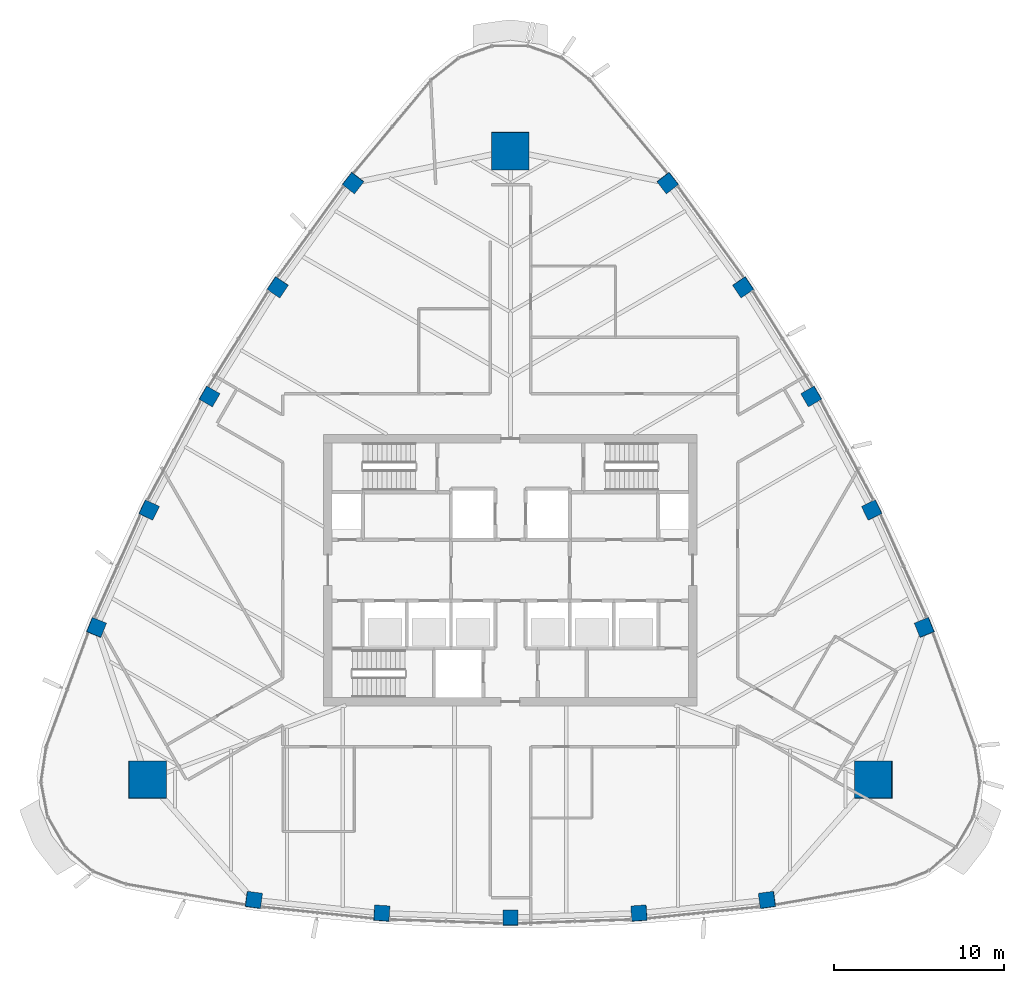
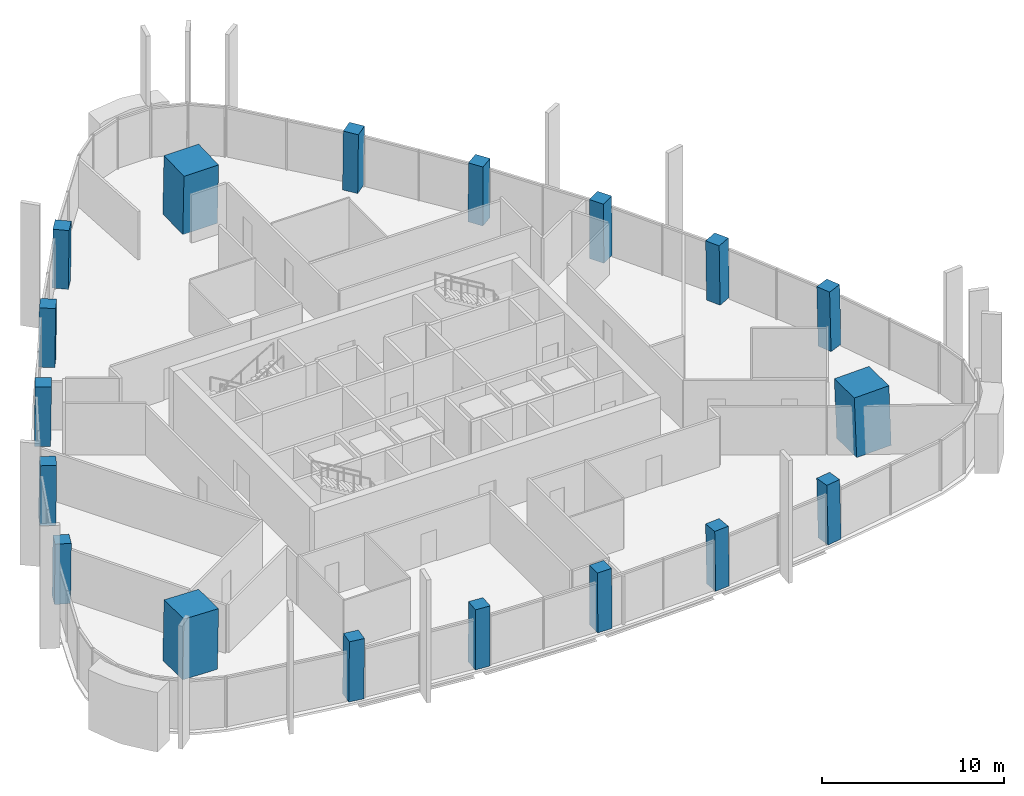
# One storey, part 1 of 18: 18 columns.
"""IFC4 building model written with IfcOpenShell, lengths in metres."""

import ifcopenshell
import ifcopenshell.guid

model = None  # the IFC model being written
_history = None  # IfcOwnerHistory: only IFC2X3 demands one
_inside = {}  # id of a spatial element -> (the spatial element, [elements in it])
_under = {}  # id of a project, library or spatial element -> (it, [spatial elements below it])
_declared = {}  # id of a project -> (the project, [libraries it declares])
_typed = {}  # id of a type object -> (the type object, [elements of that type])
_made_of = {}  # id of a material, layer set ... -> (it, [elements and type objects made of it])


def new_model(schema):
    """Start an empty IFC model of exactly this schema.

    Asked for "IFC4X3", IfcOpenShell would pick the latest addendum, in which some entities
    have other attributes; the version numbers below select the first issue.
    IFC2X3 requires an IfcOwnerHistory on every rooted entity: one is made here for all.
    """
    global model, _history
    if schema == "IFC4X3":
        model = ifcopenshell.file(schema_version=(4, 3, 0, 0))
    else:
        model = ifcopenshell.file(schema=schema)
    _inside.clear()
    _under.clear()
    _declared.clear()
    _typed.clear()
    _made_of.clear()
    _history = None
    if model.schema == "IFC2X3":
        org = make("IfcOrganization", Name="unknown")
        user = make(
            "IfcPersonAndOrganization",
            ThePerson=make("IfcPerson", FamilyName="unknown"),
            TheOrganization=org,
        )
        app = make(
            "IfcApplication",
            ApplicationDeveloper=org,
            Version="unknown",
            ApplicationFullName="unknown",
            ApplicationIdentifier="unknown",
        )
        _history = make(
            "IfcOwnerHistory",
            OwningUser=user,
            OwningApplication=app,
            ChangeAction="ADDED",
            CreationDate=0,
        )
    return model


def make(cls, **values):
    """One entity of the class cls with the attributes given. An attribute that is None is left unset."""
    return model.create_entity(
        cls, **{name: value for name, value in values.items() if value is not None}
    )


def rooted(cls, **values):
    """An entity with a GlobalId (a new one), such as an element, a storey or a relation."""
    return make(cls, GlobalId=ifcopenshell.guid.new(), OwnerHistory=_history, **values)


def si_unit(unit_type, name, prefix=None):
    """IfcSIUnit, for example si_unit("LENGTHUNIT", "METRE", prefix="MILLI")."""
    return make("IfcSIUnit", UnitType=unit_type, Prefix=prefix, Name=name)


def assignment(units):
    """IfcUnitAssignment: the units of a project."""
    return None if units is None else make("IfcUnitAssignment", Units=units)


def point(xyz):
    """IfcCartesianPoint."""
    return None if xyz is None else make("IfcCartesianPoint", Coordinates=xyz)


def direction(xyz):
    """IfcDirection."""
    return None if xyz is None else make("IfcDirection", DirectionRatios=xyz)


def frame(location, z_axis=None, x_axis=None):
    """IfcAxis2Placement3D, a coordinate frame: its origin and axes. An axis left out is left unset."""
    return make(
        "IfcAxis2Placement3D",
        Location=point(location),
        Axis=direction(z_axis),
        RefDirection=direction(x_axis),
    )


def frame_2d(location, x_axis=None):
    """IfcAxis2Placement2D, a coordinate frame in the plane: its origin and x axis."""
    return make(
        "IfcAxis2Placement2D", Location=point(location), RefDirection=direction(x_axis)
    )


def origin():
    """The frame at (0, 0, 0) with its axes left unset."""
    return frame((0.0, 0.0, 0.0))


def origin_2d():
    """The frame at (0, 0) in the plane with its x axis left unset."""
    return frame_2d((0.0, 0.0))


def place(relative_to, where):
    """IfcLocalPlacement: puts the frame where relative to a parent placement (None: the world)."""
    return make(
        "IfcLocalPlacement", PlacementRelTo=relative_to, RelativePlacement=where
    )


def context(
    kind, dimensions, precision=None, world=None, true_north=None, identifier=None
):
    """IfcGeometricRepresentationContext, for example the 3D "Model" context."""
    return make(
        "IfcGeometricRepresentationContext",
        ContextIdentifier=identifier,
        ContextType=kind,
        CoordinateSpaceDimension=dimensions,
        Precision=precision,
        WorldCoordinateSystem=world,
        TrueNorth=true_north,
    )


def subcontext(parent, identifier, kind, view, scale=None):
    """IfcGeometricRepresentationSubContext, for example "Body" below "Model"."""
    return make(
        "IfcGeometricRepresentationSubContext",
        ContextIdentifier=identifier,
        ContextType=kind,
        ParentContext=parent,
        TargetScale=scale,
        TargetView=view,
    )


def project(units=None, contexts=None):
    """IfcProject with its units and contexts."""
    return rooted(
        "IfcProject",
        Name="project",
        RepresentationContexts=contexts,
        UnitsInContext=assignment(units),
    )


def spatial(cls, under=None, at=None, **own):
    """A site, building, storey or space (cls), placed at a placement, below another one or the project."""
    s = rooted(cls, ObjectPlacement=at, **own)
    if under is not None:
        _under.setdefault(under.id(), (under, []))[1].append(s)
    return s


def profile(cls, at=None, kind="AREA", **sizes):
    """A parametric profile (cls). Its sizes go by their IFC names, for example OverallWidth=200.0."""
    return make(cls, ProfileType=kind, Position=at, **sizes)


def rectangle(**sizes):
    """IfcRectangleProfileDef."""
    return profile("IfcRectangleProfileDef", **sizes)


def extrude(swept, where, along, depth):
    """IfcExtrudedAreaSolid: the profile swept, set in the frame where, extruded along a direction by depth."""
    return make(
        "IfcExtrudedAreaSolid",
        SweptArea=swept,
        Position=where,
        ExtrudedDirection=direction(along),
        Depth=depth,
    )


def shape(context_of_items, identifier, shape_type, items):
    """IfcShapeRepresentation: the items that make up one representation, for example the "Body"."""
    return make(
        "IfcShapeRepresentation",
        ContextOfItems=context_of_items,
        RepresentationIdentifier=identifier,
        RepresentationType=shape_type,
        Items=items,
    )


def material(Name=None, Category=None):
    """IfcMaterial."""
    return make("IfcMaterial", Name=Name, Category=Category)


def material_profile(
    of_material, cross_section, Name=None, Category=None, Priority=None
):
    """IfcMaterialProfile: a cross section and its material."""
    return make(
        "IfcMaterialProfile",
        Name=Name,
        Material=of_material,
        Profile=cross_section,
        Priority=Priority,
        Category=Category,
    )


def profile_set(profiles, Name=None, composite=None):
    """IfcMaterialProfileSet."""
    return make(
        "IfcMaterialProfileSet",
        Name=Name,
        MaterialProfiles=profiles,
        CompositeProfile=composite,
    )


def made_of(thing, what):
    """Note that an element or type object is made of a material, layer set ...; save() writes the relation."""
    if what is not None:
        _made_of.setdefault(what.id(), (what, []))[1].append(thing)
    return thing


def type_object(cls, material=None, **own):
    """A type object (cls), such as IfcWallType, which elements share."""
    return made_of(rooted(cls, **own), material)


def element(
    cls,
    number,
    at=None,
    inside=None,
    cuts=None,
    type_object=None,
    material=None,
    context=None,
    identifier="Body",
    shape_type=None,
    held_by="IfcProductDefinitionShape",
    body=None,
    shapes=None,
    **own,
):
    """One element of the class cls, such as IfcWall. Its Tag is "e" and its number.

    at: its placement. inside: the storey or other place that contains it. cuts: it is an
    opening in that element (IfcRelVoidsElement). A single representation is given by context,
    identifier, shape_type and body (its items); several are given by shapes. held_by: the class
    of the entity that holds the representations. save() writes the other relations.
    """
    e = rooted(cls, Tag="e%d" % number, ObjectPlacement=at, **own)
    if body is not None:
        shapes = [shape(context, identifier, shape_type, body)]
    if shapes is not None:
        e.Representation = make(held_by, Representations=shapes)
    if inside is not None:
        _inside.setdefault(inside.id(), (inside, []))[1].append(e)
    if cuts is not None:
        rooted(
            "IfcRelVoidsElement", RelatingBuildingElement=cuts, RelatedOpeningElement=e
        )
    if type_object is not None:
        _typed.setdefault(type_object.id(), (type_object, []))[1].append(e)
    return made_of(e, material)


def aggregate(whole, parts):
    """IfcRelAggregates: a whole, such as a stair, and the parts it consists of."""
    return rooted("IfcRelAggregates", RelatingObject=whole, RelatedObjects=parts)


def save(model, path):
    """Write the relations noted so far, then the file.

    IfcRelAggregates (storeys below a building ...), IfcRelContainedInSpatialStructure (elements
    in a storey), IfcRelDefinesByType, IfcRelAssociatesMaterial and IfcRelDeclares: one each for
    every whole, place, type object, material and project.
    """
    for whole, parts in _under.values():
        aggregate(whole, parts)
    for where, things in _inside.values():
        rooted(
            "IfcRelContainedInSpatialStructure",
            RelatedElements=things,
            RelatingStructure=where,
        )
    for kind, things in _typed.values():
        rooted("IfcRelDefinesByType", RelatedObjects=things, RelatingType=kind)
    for what, things in _made_of.values():
        rooted("IfcRelAssociatesMaterial", RelatedObjects=things, RelatingMaterial=what)
    for by, libraries in _declared.values():
        rooted("IfcRelDeclares", RelatingContext=by, RelatedDefinitions=libraries)
    model.write(path)


model = new_model("IFC4")

# Units and contexts
model_context = context("Model", 3, precision=1e-05, world=origin(), true_north=direction((0.0, 1.0)))
body_context = subcontext(model_context, "Body", "Model", "MODEL_VIEW")
ifc_project = project(units=[si_unit("LENGTHUNIT", "METRE"), si_unit("AREAUNIT", "SQUARE_METRE"), si_unit("VOLUMEUNIT", "CUBIC_METRE"), si_unit("PLANEANGLEUNIT", "RADIAN"), si_unit("MASSUNIT", "GRAM", prefix="KILO")], contexts=[model_context])

# Site, building, storey
site_placement = place(None, origin())
site = spatial("IfcSite", under=ifc_project, at=site_placement, CompositionType="ELEMENT")
building_placement = place(site_placement, origin())
building = spatial("IfcBuilding", under=site, at=building_placement, Name="Sierra Prisma Convention Tower", CompositionType="ELEMENT")
storey_placement = place(building_placement, frame((0.0, 0.0, 263.0)))
storey = spatial("IfcBuildingStorey", under=building, at=storey_placement, Name="L59", CompositionType="ELEMENT", Elevation=263.0)

# Columns
ifc_material_1 = material(Name="Concrete C50/60", Category="concrete")
ifc_material_profile_1 = material_profile(ifc_material_1, rectangle(XDim=2.199951171875, YDim=2.199951171875, at=origin_2d()), Name="Mega column RC 2200 C50/60")
ifc_profile_set_1 = profile_set([ifc_material_profile_1], Name="Concrete C50/60")
column_type_1 = type_object("IfcColumnType", Name="Mega column RC 2200 C50/60", PredefinedType="COLUMN", material=ifc_profile_set_1)
for number, where, z_axis, x_axis, name in (
    (1, (21.400390625, -12.355712890625, 0.0), (-0.027756693063, 0.016104982348, 0.999484965136), (0.99961470877, 0.000447193351, 0.02775309042), "Mega column SE L59"),
    (2, (0.0, 24.711181640625, 0.0), (0.0, -0.032148900677, 0.999483090495), (1.0, 0.0, 0.0), "Mega column N L59"),
    (3, (-21.400390625, -12.355712890625, 0.0), (0.027756693063, 0.016104982348, 0.999484965136), (0.99961470877, -0.000447193351, -0.02775309042), "Mega column SW L59"),
):
    element("IfcColumn", number, at=place(storey_placement, frame(where, z_axis=z_axis, x_axis=x_axis)), inside=storey, type_object=column_type_1, Name=name, PredefinedType="COLUMN", context=body_context, shape_type="SweptSolid", body=[
        extrude(rectangle(XDim=2.199951171875, YDim=2.199951171875, at=origin_2d()), origin(), (0.0, 0.0, 1.0), 4.001953125),
    ])
ifc_material_2 = material(Name="Concrete C50/60", Category="concrete")
ifc_material_profile_2 = material_profile(ifc_material_2, rectangle(XDim=0.89990234375, YDim=0.89990234375, at=origin_2d()), Name="Perimeter column RC 900 C50/60")
ifc_profile_set_2 = profile_set([ifc_material_profile_2], Name="Concrete C50/60")
column_type_2 = type_object("IfcColumnType", Name="Perimeter column RC 900 C50/60", PredefinedType="COLUMN", material=ifc_profile_set_2)
column_1_placement = place(storey_placement, frame((-15.131103515625, -19.438720703125, 0.0), z_axis=(0.017513460473, 0.010373826761, 0.999792809746), x_axis=(-0.990473041668, 0.136782156523, 0.015930956808)))
element("IfcColumn", 4, at=column_1_placement, inside=storey, type_object=column_type_2, Name="Perimeter column S-1 L59", PredefinedType="COLUMN", context=body_context, shape_type="SweptSolid", body=[
    extrude(rectangle(XDim=0.89990234375, YDim=0.89990234375, at=origin_2d()), origin(), (0.0, 0.0, 1.0), 4.000732421875),
])
column_2_placement = place(storey_placement, frame((-7.583251953125, -20.21728515625, 0.0), z_axis=(0.008788174922, 0.01116830563, 0.999899013366), x_axis=(-0.997615024604, 0.068558188157, 0.008002344672)))
element("IfcColumn", 5, at=column_2_placement, inside=storey, type_object=column_type_2, Name="Perimeter column S-2 L59", PredefinedType="COLUMN", context=body_context, shape_type="SweptSolid", body=[
    extrude(rectangle(XDim=0.89990234375, YDim=0.89990234375, at=origin_2d()), origin(), (0.0, 0.0, 1.0), 4.00048828125),
])
column_3_placement = place(storey_placement, frame((0.0, -20.47705078125, 0.0), z_axis=(0.0, 0.01141283087, 0.999934871525), x_axis=(1.0, 0.0, 0.0)))
element("IfcColumn", 6, at=column_3_placement, inside=storey, type_object=column_type_2, Name="Perimeter column S-3 L59", PredefinedType="COLUMN", context=body_context, shape_type="SweptSolid", body=[
    extrude(rectangle(XDim=0.89990234375, YDim=0.89990234375, at=origin_2d()), origin(), (0.0, 0.0, 1.0), 4.000244140625),
])
column_4_placement = place(storey_placement, frame((7.583251953125, -20.21728515625, 0.0), z_axis=(-0.008788174922, 0.01116830563, 0.999899013366), x_axis=(0.997615024604, 0.068558188157, 0.008002344672)))
element("IfcColumn", 7, at=column_4_placement, inside=storey, type_object=column_type_2, Name="Perimeter column S-4 L59", PredefinedType="COLUMN", context=body_context, shape_type="SweptSolid", body=[
    extrude(rectangle(XDim=0.89990234375, YDim=0.89990234375, at=origin_2d()), origin(), (0.0, 0.0, 1.0), 4.00048828125),
])
for number, where, z_axis, x_axis, name in (
    (8, (15.131103515625, -19.438720703125, 0.0), (-0.017513460473, 0.010373826761, 0.999792809746), (0.990473041668, 0.136782156523, 0.015930956808), "Perimeter column S-5 L59"),
    (9, (24.39990234375, -3.384521484375, 0.0), (-0.017757540332, 0.01000768596, 0.999792236409), (-0.376945742216, 0.926097740454, -0.015965041529), "Perimeter column NE-1 L59"),
):
    element("IfcColumn", number, at=place(storey_placement, frame(where, z_axis=z_axis, x_axis=x_axis)), inside=storey, type_object=column_type_2, Name=name, PredefinedType="COLUMN", context=body_context, shape_type="SweptSolid", body=[
        extrude(rectangle(XDim=0.89990234375, YDim=0.89990234375, at=origin_2d()), origin(), (0.0, 0.0, 1.0), 4.000732421875),
    ])
column_5_placement = place(storey_placement, frame((21.30029296875, 3.541259765625, 0.0), z_axis=(-0.014036674448, 0.002013957638, 0.999899452818), x_axis=(-0.439491445478, 0.898211338571, -0.00797876017)))
element("IfcColumn", 10, at=column_5_placement, inside=storey, type_object=column_type_2, Name="Perimeter column NE-2 L59", PredefinedType="COLUMN", context=body_context, shape_type="SweptSolid", body=[
    extrude(rectangle(XDim=0.89990234375, YDim=0.89990234375, at=origin_2d()), origin(), (0.0, 0.0, 1.0), 4.00048828125),
])
column_6_placement = place(storey_placement, frame((17.733642578125, 10.238525390625, 0.0), z_axis=(-0.009887052741, -0.005675900648, 0.999935013058), x_axis=(-0.49997556095, 0.866039512773, -2.7732311e-05)))
element("IfcColumn", 11, at=column_6_placement, inside=storey, type_object=column_type_2, Name="Perimeter column NE-3 L59", PredefinedType="COLUMN", context=body_context, shape_type="SweptSolid", body=[
    extrude(rectangle(XDim=0.89990234375, YDim=0.89990234375, at=origin_2d()), origin(), (0.0, 0.0, 1.0), 4.000244140625),
])
column_7_placement = place(storey_placement, frame((13.717041015625, 16.67578125, 0.0), z_axis=(-0.00530952661, -0.013121243922, 0.999899815924), x_axis=(-0.55811093572, 0.829728500651, 0.007924559096)))
element("IfcColumn", 12, at=column_7_placement, inside=storey, type_object=column_type_2, Name="Perimeter column NE-4 L59", PredefinedType="COLUMN", context=body_context, shape_type="SweptSolid", body=[
    extrude(rectangle(XDim=0.89990234375, YDim=0.89990234375, at=origin_2d()), origin(), (0.0, 0.0, 1.0), 4.00048828125),
])
for number, where, z_axis, x_axis, name in (
    (13, (9.26904296875, 22.8232421875, 0.0), (-0.000305112375, -0.020381506621, 0.999792228963), (-0.613619760177, 0.789441439432, 0.015906087767), "Perimeter column NE-5 L59"),
    (14, (-9.26904296875, 22.8232421875, 0.0), (0.000305112375, -0.020381506621, 0.999792228963), (0.613619760177, 0.789441439432, 0.015906087767), "Perimeter column NW-1 L59"),
):
    element("IfcColumn", number, at=place(storey_placement, frame(where, z_axis=z_axis, x_axis=x_axis)), inside=storey, type_object=column_type_2, Name=name, PredefinedType="COLUMN", context=body_context, shape_type="SweptSolid", body=[
        extrude(rectangle(XDim=0.89990234375, YDim=0.89990234375, at=origin_2d()), origin(), (0.0, 0.0, 1.0), 4.000732421875),
    ])
column_8_placement = place(storey_placement, frame((-13.717041015625, 16.67578125, 0.0), z_axis=(0.00530952661, -0.013121243922, 0.999899815924), x_axis=(0.55811093572, 0.829728500651, 0.007924559096)))
element("IfcColumn", 15, at=column_8_placement, inside=storey, type_object=column_type_2, Name="Perimeter column NW-2 L59", PredefinedType="COLUMN", context=body_context, shape_type="SweptSolid", body=[
    extrude(rectangle(XDim=0.89990234375, YDim=0.89990234375, at=origin_2d()), origin(), (0.0, 0.0, 1.0), 4.00048828125),
])
column_9_placement = place(storey_placement, frame((-17.733642578125, 10.238525390625, 0.0), z_axis=(0.009887052741, -0.005675900648, 0.999935013058), x_axis=(0.49997556095, 0.866039512773, -2.7732311e-05)))
element("IfcColumn", 16, at=column_9_placement, inside=storey, type_object=column_type_2, Name="Perimeter column NW-3 L59", PredefinedType="COLUMN", context=body_context, shape_type="SweptSolid", body=[
    extrude(rectangle(XDim=0.89990234375, YDim=0.89990234375, at=origin_2d()), origin(), (0.0, 0.0, 1.0), 4.000244140625),
])
column_10_placement = place(storey_placement, frame((-21.30029296875, 3.541259765625, 0.0), z_axis=(0.014036674448, 0.002013957638, 0.999899452818), x_axis=(0.439491445478, 0.898211338571, -0.00797876017)))
element("IfcColumn", 17, at=column_10_placement, inside=storey, type_object=column_type_2, Name="Perimeter column NW-4 L59", PredefinedType="COLUMN", context=body_context, shape_type="SweptSolid", body=[
    extrude(rectangle(XDim=0.89990234375, YDim=0.89990234375, at=origin_2d()), origin(), (0.0, 0.0, 1.0), 4.00048828125),
])
column_11_placement = place(storey_placement, frame((-24.39990234375, -3.384521484375, 0.0), z_axis=(0.017757540332, 0.01000768596, 0.999792236409), x_axis=(0.376945742216, 0.926097740454, -0.015965041529)))
element("IfcColumn", 18, at=column_11_placement, inside=storey, type_object=column_type_2, Name="Perimeter column NW-5 L59", PredefinedType="COLUMN", context=body_context, shape_type="SweptSolid", body=[
    extrude(rectangle(XDim=0.89990234375, YDim=0.89990234375, at=origin_2d()), origin(), (0.0, 0.0, 1.0), 4.000732421875),
])

save(model, "model.ifc")
